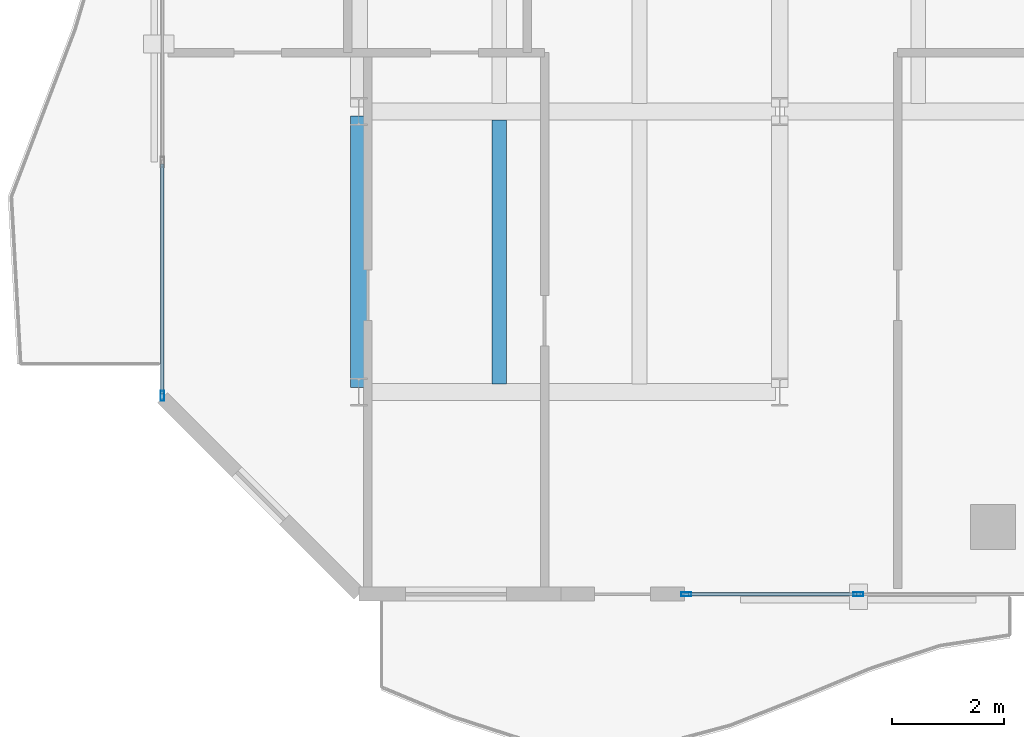
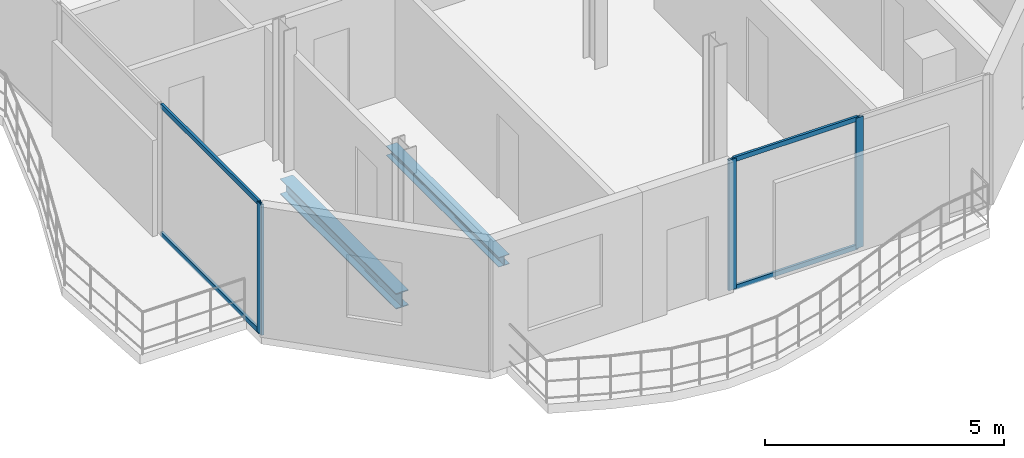
# One storey, part 3 of 23: 7 members, 2 beams, 2 elements without a shape of their own.
"""IFC4 building model written with IfcOpenShell, lengths in metres."""

from ifc_helpers import new_model, si_unit, direction, frame, origin, origin_2d, place, context, subcontext, project, spatial, hollow_rectangle, i_section, extrude, material, layer, layer_set, material_profile, profile_set, type_object, element, aggregate, save


model = new_model("IFC4")

# Units and contexts
model_context = context("Model", 3, precision=1e-05, world=origin(), true_north=direction((0.0, 1.0)))
body_context = subcontext(model_context, "Body", "Model", "MODEL_VIEW")
ifc_project = project(units=[si_unit("LENGTHUNIT", "METRE"), si_unit("AREAUNIT", "SQUARE_METRE"), si_unit("VOLUMEUNIT", "CUBIC_METRE"), si_unit("PLANEANGLEUNIT", "RADIAN"), si_unit("MASSUNIT", "GRAM", prefix="KILO")], contexts=[model_context])

# Site, building, storey
site_placement = place(None, origin())
site = spatial("IfcSite", under=ifc_project, at=site_placement, CompositionType="ELEMENT")
building_placement = place(site_placement, origin())
building = spatial("IfcBuilding", under=site, at=building_placement, Name="Catumbela Crestline Tower", CompositionType="ELEMENT")
storey_placement = place(building_placement, frame((0.0, 0.0, 179.4)))
storey = spatial("IfcBuildingStorey", under=building, at=storey_placement, Name="L46", CompositionType="ELEMENT", Elevation=179.4)

# Beams
ifc_material_1 = material(Name="Structural steel S355J2", Category="steel")
ifc_material_profile_1 = material_profile(ifc_material_1, i_section(OverallWidth=0.3, OverallDepth=0.4, WebThickness=0.0135, FlangeThickness=0.024, FilletRadius=0.027, at=origin_2d()), Name="HEB 400")
ifc_profile_set_1 = profile_set([ifc_material_profile_1], Name="Structural steel S355J2")
beam_type_1 = type_object("IfcBeamType", Name="BG-HEB400", PredefinedType="BEAM", material=ifc_profile_set_1)
beam_1_placement = place(storey_placement, frame((8.5, 8.68, -0.46), z_axis=(0.0, 1.0, 0.0), x_axis=(-1.0, 0.0, 0.0)))
element("IfcBeam", 1, at=beam_1_placement, inside=storey, type_object=beam_type_1, Name="L46 Beam BM-L46-WNS37", PredefinedType="BEAM", context=body_context, shape_type="SweptSolid", body=[
    extrude(i_section(OverallWidth=0.3, OverallDepth=0.4, WebThickness=0.0135, FlangeThickness=0.024, FilletRadius=0.027, at=origin_2d()), origin(), (0.0, 0.0, 1.0), 4.84),
])
ifc_material_profile_2 = material_profile(ifc_material_1, i_section(OverallWidth=0.26, OverallDepth=0.25, WebThickness=0.0075, FlangeThickness=0.0125, FilletRadius=0.024, at=origin_2d()), Name="HEA 260")
ifc_profile_set_2 = profile_set([ifc_material_profile_2], Name="Structural steel S355J2")
beam_type_2 = type_object("IfcBeamType", Name="BJ-HEA260", PredefinedType="JOIST", material=ifc_profile_set_2)
beam_2_placement = place(storey_placement, frame((11.0, 8.747, -0.385), z_axis=(0.0, 1.0, 0.0), x_axis=(-1.0, 0.0, 0.0)))
element("IfcBeam", 2, at=beam_2_placement, inside=storey, type_object=beam_type_2, Name="L46 Joist JS-L46-WG44", PredefinedType="JOIST", context=body_context, shape_type="SweptSolid", body=[
    extrude(i_section(OverallWidth=0.26, OverallDepth=0.25, WebThickness=0.0075, FlangeThickness=0.0125, FilletRadius=0.024, at=origin_2d()), origin(), (0.0, 0.0, 1.0), 4.706),
])

# Curtain wall, members
ifc_material_2 = material(Name="Aluminium alloy AW-6060-T66", Category="aluminium")
ifc_layer = layer(ifc_material_2, 0.18, Name="Aluminium alloy AW-6060-T66")
ifc_layer_set = layer_set([ifc_layer], Name="Aluminium alloy AW-6060-T66")
curtain_wall_type = type_object("IfcCurtainWallType", Name="CWU-Z3", PredefinedType="USERDEFINED", material=ifc_layer_set)
curtain_wall_1_placement = place(storey_placement, origin())
curtain_wall_1 = element("IfcCurtainWall", 3, at=curtain_wall_1_placement, inside=storey, type_object=curtain_wall_type, Name="L46 Unitised Curtain Wall CW-L46-E0S2", ObjectType="UNITISED", PredefinedType="USERDEFINED")
ifc_material_profile_3 = material_profile(ifc_material_2, hollow_rectangle(XDim=0.065, YDim=0.18, WallThickness=0.004, at=origin_2d()), Name="ALU 180x65x4")
ifc_profile_set_3 = profile_set([ifc_material_profile_3], Name="Aluminium alloy AW-6060-T66")
member_type_1 = type_object("IfcMemberType", Name="MUL-180X65", PredefinedType="MULLION", material=ifc_profile_set_3)
member_1_placement = place(storey_placement, frame((14.3325, 5.0, 0.0), z_axis=(0.0, 0.0, 1.0), x_axis=(0.0, 1.0, 0.0)))
member_1 = element("IfcMember", 4, at=member_1_placement, type_object=member_type_1, Name="CWU-Z3 mullion 1", PredefinedType="MULLION", context=body_context, shape_type="SweptSolid", body=[
    extrude(hollow_rectangle(XDim=0.065, YDim=0.18, WallThickness=0.004, at=origin_2d()), origin(), (0.0, 0.0, 1.0), 3.33),
])
member_2_placement = place(storey_placement, frame((17.4, 5.0, 0.0), z_axis=(0.0, 0.0, 1.0), x_axis=(0.0, 1.0, 0.0)))
member_2 = element("IfcMember", 5, at=member_2_placement, type_object=member_type_1, Name="CWU-Z3 mullion 2", PredefinedType="MULLION", context=body_context, shape_type="SweptSolid", body=[
    extrude(hollow_rectangle(XDim=0.065, YDim=0.18, WallThickness=0.004, at=origin_2d()), origin(), (0.0, 0.0, 1.0), 3.33),
])

# Curtain wall, member
curtain_wall_2_placement = place(storey_placement, origin())
curtain_wall_2 = element("IfcCurtainWall", 6, at=curtain_wall_2_placement, inside=storey, type_object=curtain_wall_type, Name="L46 Unitised Curtain Wall CW-L46-E9S2", ObjectType="UNITISED", PredefinedType="USERDEFINED")
member_3_placement = place(storey_placement, frame((5.0, 8.5325, 0.0), z_axis=(0.0, 0.0, 1.0), x_axis=(1.0, 0.0, 0.0)))
member_3 = element("IfcMember", 7, at=member_3_placement, type_object=member_type_1, Name="CWU-Z3 mullion 7", PredefinedType="MULLION", context=body_context, shape_type="SweptSolid", body=[
    extrude(hollow_rectangle(XDim=0.065, YDim=0.18, WallThickness=0.004, at=origin_2d()), origin(), (0.0, 0.0, 1.0), 3.33),
])

# Member
ifc_material_profile_4 = material_profile(ifc_material_2, hollow_rectangle(XDim=0.06, YDim=0.12, WallThickness=0.0035, at=origin_2d()), Name="ALU 120x60x3.5")
ifc_profile_set_4 = profile_set([ifc_material_profile_4], Name="Aluminium alloy AW-6060-T66")
member_type_2 = type_object("IfcMemberType", Name="TRN-120X60", PredefinedType="USERDEFINED", material=ifc_profile_set_4)
member_4_placement = place(storey_placement, frame((14.365, 5.0, 0.03), z_axis=(1.0, 0.0, 0.0), x_axis=(0.0, 1.0, 0.0)))
member_4 = element("IfcMember", 8, at=member_4_placement, type_object=member_type_2, Name="CWU-Z3 transom 1.1", ObjectType="TRANSOM", PredefinedType="USERDEFINED", context=body_context, shape_type="SweptSolid", body=[
    extrude(hollow_rectangle(XDim=0.06, YDim=0.12, WallThickness=0.0035, at=origin_2d()), origin(), (0.0, 0.0, 1.0), 3.0025),
])

member_5_placement = place(storey_placement, frame((14.365, 5.0, 3.3), z_axis=(1.0, 0.0, 0.0), x_axis=(0.0, 1.0, 0.0)))
member_5 = element("IfcMember", 9, at=member_5_placement, type_object=member_type_2, Name="CWU-Z3 transom 1.2", ObjectType="TRANSOM", PredefinedType="USERDEFINED", context=body_context, shape_type="SweptSolid", body=[
    extrude(hollow_rectangle(XDim=0.06, YDim=0.12, WallThickness=0.0035, at=origin_2d()), origin(), (0.0, 0.0, 1.0), 3.0025),
])

aggregate(curtain_wall_1, [member_1, member_2, member_4, member_5])

member_6_placement = place(storey_placement, frame((5.0, 12.6675, 0.03), z_axis=(0.0, -1.0, 0.0), x_axis=(1.0, 0.0, 0.0)))
member_6 = element("IfcMember", 10, at=member_6_placement, type_object=member_type_2, Name="CWU-Z3 transom 6.1", ObjectType="TRANSOM", PredefinedType="USERDEFINED", context=body_context, shape_type="SweptSolid", body=[
    extrude(hollow_rectangle(XDim=0.06, YDim=0.12, WallThickness=0.0035, at=origin_2d()), origin(), (0.0, 0.0, 1.0), 4.1025),
])

member_7_placement = place(storey_placement, frame((5.0, 12.6675, 3.3), z_axis=(0.0, -1.0, 0.0), x_axis=(1.0, 0.0, 0.0)))
member_7 = element("IfcMember", 11, at=member_7_placement, type_object=member_type_2, Name="CWU-Z3 transom 6.2", ObjectType="TRANSOM", PredefinedType="USERDEFINED", context=body_context, shape_type="SweptSolid", body=[
    extrude(hollow_rectangle(XDim=0.06, YDim=0.12, WallThickness=0.0035, at=origin_2d()), origin(), (0.0, 0.0, 1.0), 4.1025),
])

aggregate(curtain_wall_2, [member_3, member_6, member_7])

save(model, "model.ifc")
